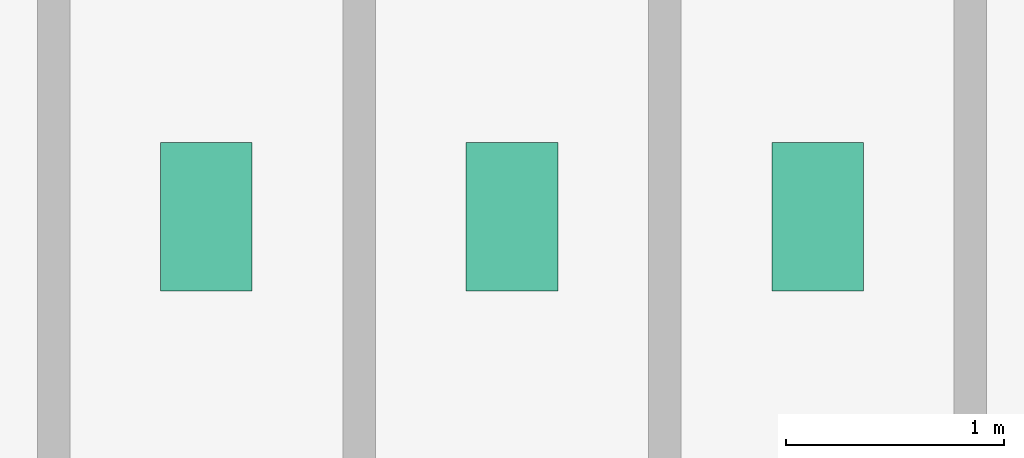
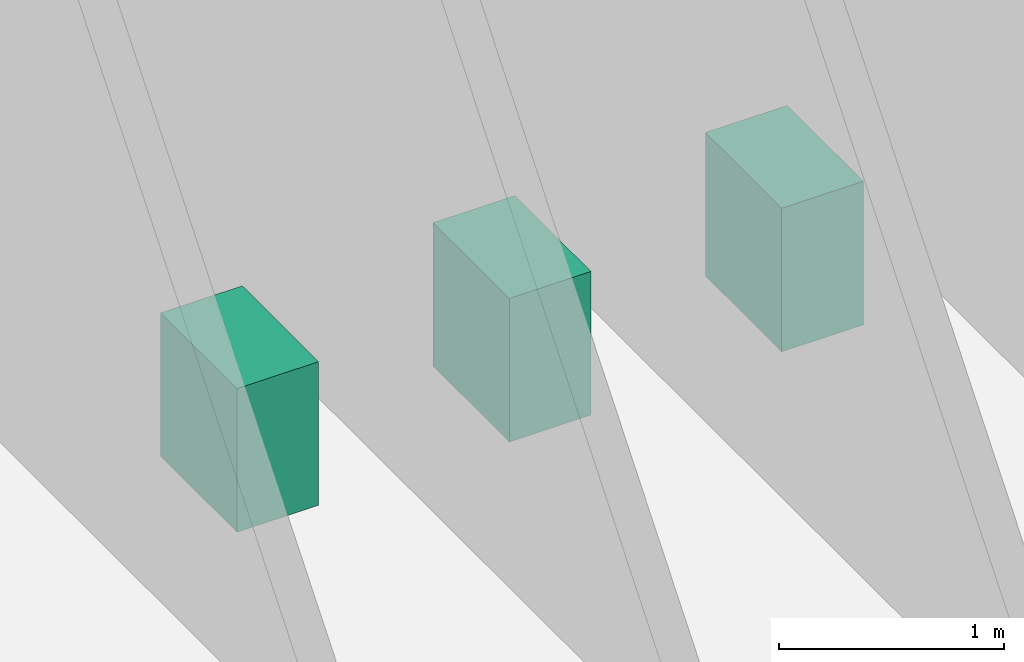
# One storey, part 14 of 14: 3 sanitary terminals.
"""IFC4 building model written with IfcOpenShell, lengths in metres."""

from ifc_helpers import new_model, si_unit, derived_unit, direction, frame, origin, origin_2d, place, context, subcontext, project, spatial, rectangle, extrude, source, transform, mapped, material, type_object, element, save


model = new_model("IFC4")

# Units and contexts
model_context = context("Model", 3, precision=1e-05, world=origin(), true_north=direction((0.0, 1.0)))
body_context = subcontext(model_context, "Body", "Model", "MODEL_VIEW")
ifc_project = project(units=[si_unit("LENGTHUNIT", "METRE"), si_unit("AREAUNIT", "SQUARE_METRE"), si_unit("VOLUMEUNIT", "CUBIC_METRE"), si_unit("PLANEANGLEUNIT", "RADIAN"), si_unit("MASSUNIT", "GRAM", prefix="KILO"), derived_unit("THERMALTRANSMITTANCEUNIT", [(si_unit("POWERUNIT", "WATT"), 1), (si_unit("LENGTHUNIT", "METRE"), -2), (si_unit("THERMODYNAMICTEMPERATUREUNIT", "KELVIN"), -1)])], contexts=[model_context])

# Site, building, storey
site_placement = place(None, origin())
site = spatial("IfcSite", under=ifc_project, at=site_placement, CompositionType="ELEMENT")
building_placement = place(site_placement, origin())
building = spatial("IfcBuilding", under=site, at=building_placement, Name="Skarnbrae Concourse Arena and Tower", CompositionType="ELEMENT")
storey_placement = place(building_placement, frame((0.0, 0.0, 21.0)))
storey = spatial("IfcBuildingStorey", under=building, at=storey_placement, Name="L04", CompositionType="ELEMENT", Elevation=21.0)

# Sanitary terminals
ifc_material = material(Name="Vitreous china sanitaryware", Category="other")
sanitary_terminal_type = type_object("IfcSanitaryTerminalType", Name="SAN-WC-VITREOUS", PredefinedType="TOILETPAN", material=ifc_material)
shared_shape = source(origin(), body_context, "Body", "SweptSolid", [
    extrude(rectangle(XDim=0.419921875, YDim=0.679931640625, at=origin_2d()), origin(), (0.0, 0.0, 1.0), 0.780029296875),
])
for number, where, z_axis, x_axis, name in (
    (1, (44.199951171875, 9.0, 0.0), (0.0, 0.0, 1.0), (1.0, 0.0, 0.0), "L04 Vitreous china WC fixture 1"),
    (2, (45.60009765625, 9.0, 0.0), (0.0, 0.0, 1.0), (1.0, 0.0, 0.0), "L04 Vitreous china WC fixture 2"),
    (3, (47.0, 9.0, 0.0), (0.0, 0.0, 1.0), (1.0, 0.0, 0.0), "L04 Vitreous china WC fixture 3"),
):
    element("IfcSanitaryTerminal", number, at=place(storey_placement, frame(where, z_axis=z_axis, x_axis=x_axis)), inside=storey, type_object=sanitary_terminal_type, Name=name, PredefinedType="TOILETPAN", context=body_context, shape_type="MappedRepresentation", body=[
        mapped(shared_shape, transform((0.0, 0.0, 0.0))),
    ])

save(model, "model.ifc")
